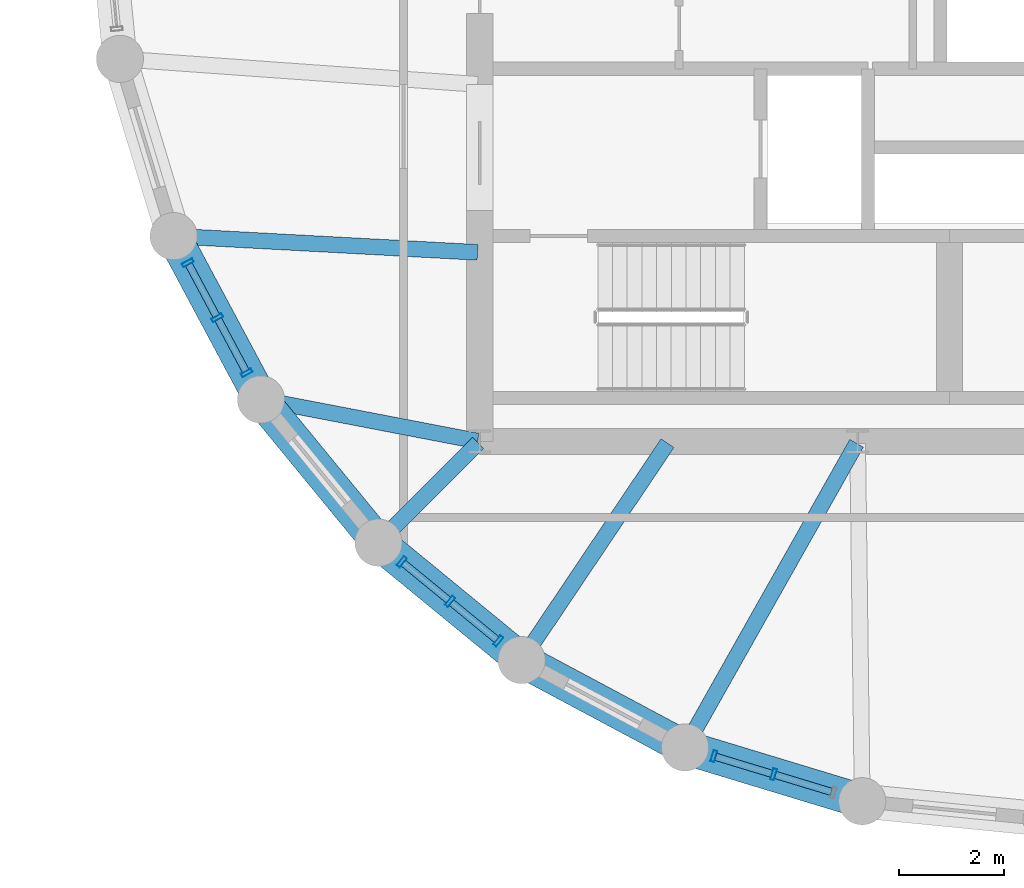
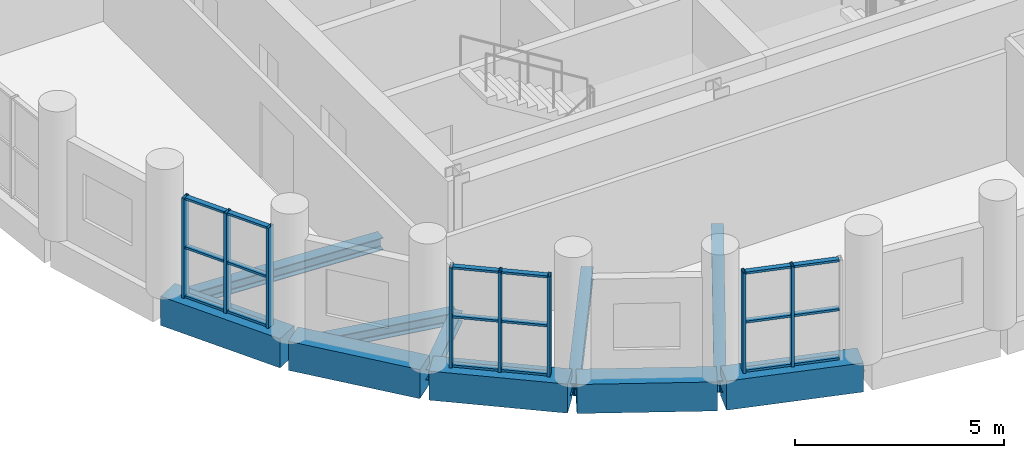
# One storey, part 2 of 12: 26 members, 10 beams, 3 elements without a shape of their own.
"""IFC4 building model written with IfcOpenShell, lengths in metres."""

from ifc_helpers import new_model, si_unit, direction, frame, origin, origin_2d, place, context, subcontext, project, spatial, rectangle, hollow_rectangle, i_section, extrude, material, layer, layer_set, material_profile, profile_set, type_object, element, aggregate, save


model = new_model("IFC4")

# Units and contexts
model_context = context("Model", 3, precision=1e-05, world=origin(), true_north=direction((0.0, 1.0)))
body_context = subcontext(model_context, "Body", "Model", "MODEL_VIEW")
ifc_project = project(units=[si_unit("LENGTHUNIT", "METRE"), si_unit("AREAUNIT", "SQUARE_METRE"), si_unit("VOLUMEUNIT", "CUBIC_METRE"), si_unit("PLANEANGLEUNIT", "RADIAN"), si_unit("MASSUNIT", "GRAM", prefix="KILO")], contexts=[model_context])

# Site, building, storey
site_placement = place(None, origin())
site = spatial("IfcSite", under=ifc_project, at=site_placement, CompositionType="ELEMENT")
building_placement = place(site_placement, origin())
building = spatial("IfcBuilding", under=site, at=building_placement, Name="Solnavia Interchange Tower", CompositionType="ELEMENT")
storey_placement = place(building_placement, frame((0.0, 0.0, 193.800048828125)))
storey = spatial("IfcBuildingStorey", under=building, at=storey_placement, Name="L48", CompositionType="ELEMENT", Elevation=193.800048828125)

# Beams
ifc_material_1 = material(Name="Steel S460", Category="steel")
ifc_material_profile_1 = material_profile(ifc_material_1, i_section(OverallWidth=0.300048828125, OverallDepth=0.360107421875, WebThickness=0.012451171875, FlangeThickness=0.0224609375, FilletRadius=0.027099609375, at=origin_2d()), Name="HEB 360")
ifc_profile_set_1 = profile_set([ifc_material_profile_1], Name="Steel S460")
beam_type_1 = type_object("IfcBeamType", Name="Beam-Girder-HEB360", PredefinedType="BEAM", material=ifc_profile_set_1)
beam_1_placement = place(storey_placement, frame((8.64990234375, 14.707763671875, -0.429931640625), z_axis=(0.998570371303, -0.053452909696, 0.0), x_axis=(0.053452909696, 0.998570371303, 0.0)))
element("IfcBeam", 1, at=beam_1_placement, inside=storey, type_object=beam_type_1, Name="GRD-L48-DR13 Drum radial floor girder", PredefinedType="BEAM", context=body_context, shape_type="SweptSolid", body=[
    extrude(i_section(OverallWidth=0.300048828125, OverallDepth=0.360107421875, WebThickness=0.012451171875, FlangeThickness=0.0224609375, FilletRadius=0.027099609375, at=origin_2d()), origin(), (0.0, 0.0, 1.0), 5.71826171875),
])
beam_2_placement = place(storey_placement, frame((15.24462890625, 6.700439453125, -0.429931640625), z_axis=(0.557835474219, 0.829951555033, 0.0), x_axis=(-0.829951555033, 0.557835474219, 0.0)))
element("IfcBeam", 2, at=beam_2_placement, inside=storey, type_object=beam_type_1, Name="GRD-L48-DR16 Drum radial floor girder", PredefinedType="BEAM", context=body_context, shape_type="SweptSolid", body=[
    extrude(i_section(OverallWidth=0.300048828125, OverallDepth=0.360107421875, WebThickness=0.012451171875, FlangeThickness=0.0224609375, FilletRadius=0.027099609375, at=origin_2d()), origin(), (0.0, 0.0, 1.0), 4.899658203125),
])
ifc_material_2 = material(Name="Steel S355", Category="steel")
ifc_material_profile_2 = material_profile(ifc_material_2, i_section(OverallWidth=0.300048828125, OverallDepth=0.31005859375, WebThickness=0.009033203125, FlangeThickness=0.015380859375, FilletRadius=0.027099609375, at=origin_2d()), Name="HEA 320")
ifc_profile_set_2 = profile_set([ifc_material_profile_2], Name="Steel S355")
beam_type_2 = type_object("IfcBeamType", Name="Beam-Primary-HEA320", PredefinedType="BEAM", material=ifc_profile_set_2)
beam_3_placement = place(storey_placement, frame((12.528564453125, 8.9287109375, -0.405029296875), z_axis=(0.707106781187, 0.707106781187, 0.0), x_axis=(-0.707106781187, 0.707106781187, 0.0)))
element("IfcBeam", 3, at=beam_3_placement, inside=storey, type_object=beam_type_2, Name="GRD-L48-DR15 Drum radial floor girder", PredefinedType="BEAM", context=body_context, shape_type="SweptSolid", body=[
    extrude(i_section(OverallWidth=0.300048828125, OverallDepth=0.31005859375, WebThickness=0.009033203125, FlangeThickness=0.015380859375, FilletRadius=0.027099609375, at=origin_2d()), origin(), (0.0, 0.0, 1.0), 2.6064453125),
])
ifc_material_profile_3 = material_profile(ifc_material_2, i_section(OverallWidth=0.300048828125, OverallDepth=0.35009765625, WebThickness=0.010009765625, FlangeThickness=0.017578125, FilletRadius=0.027099609375, at=origin_2d()), Name="HEA 360")
ifc_profile_set_3 = profile_set([ifc_material_profile_3], Name="Steel S355")
beam_type_3 = type_object("IfcBeamType", Name="Beam-Primary-HEA360", PredefinedType="BEAM", material=ifc_profile_set_3)
beam_4_placement = place(storey_placement, frame((10.3125, 11.5849609375, -0.425048828125), z_axis=(0.982057527796, -0.188581579428, 0.0), x_axis=(0.188581579428, 0.982057527796, 0.0)))
element("IfcBeam", 4, at=beam_4_placement, inside=storey, type_object=beam_type_3, Name="GRD-L48-DR14 Drum radial floor girder", PredefinedType="BEAM", context=body_context, shape_type="SweptSolid", body=[
    extrude(i_section(OverallWidth=0.300048828125, OverallDepth=0.35009765625, WebThickness=0.010009765625, FlangeThickness=0.017578125, FilletRadius=0.027099609375, at=origin_2d()), origin(), (0.0, 0.0, 1.0), 4.1220703125),
])
beam_5_placement = place(storey_placement, frame((18.351318359375, 5.039794921875, -0.425048828125), z_axis=(0.491243158486, 0.871022479182, 0.0), x_axis=(-0.871022479182, 0.491243158486, 0.0)))
element("IfcBeam", 5, at=beam_5_placement, inside=storey, type_object=beam_type_3, Name="GRD-L48-DR17 Drum radial floor girder", PredefinedType="BEAM", context=body_context, shape_type="SweptSolid", body=[
    extrude(i_section(OverallWidth=0.300048828125, OverallDepth=0.35009765625, WebThickness=0.010009765625, FlangeThickness=0.017578125, FilletRadius=0.027099609375, at=origin_2d()), origin(), (0.0, 0.0, 1.0), 6.5732421875),
])
ifc_material_3 = material(Name="Concrete C50/60", Category="concrete")
ifc_material_profile_4 = material_profile(ifc_material_3, rectangle(XDim=0.64990234375, YDim=0.85009765625, at=origin_2d()), Name="RC 650x850")
ifc_profile_set_4 = profile_set([ifc_material_profile_4], Name="Concrete C50/60")
beam_type_4 = type_object("IfcBeamType", Name="Beam-Spandrel-RC650x850", PredefinedType="SPANDREL", material=ifc_profile_set_4)
beam_6_placement = place(storey_placement, frame((8.607666015625, 14.6416015625, -0.425048828125), z_axis=(0.471509422952, -0.881861023102, 0.0), x_axis=(0.881861023102, 0.471509422952, 0.0)))
element("IfcBeam", 6, at=beam_6_placement, inside=storey, type_object=beam_type_4, Name="SPB-L48-03 Framed-tube perimeter spandrel beam", PredefinedType="SPANDREL", context=body_context, shape_type="SweptSolid", body=[
    extrude(rectangle(XDim=0.64990234375, YDim=0.85009765625, at=origin_2d()), origin(), (0.0, 0.0, 1.0), 3.369140625),
])
for number, where, z_axis, x_axis, name in (
    (7, (10.28466796875, 11.5380859375, -0.425048828125), (0.634298841675, -0.773087950656, 0.0), (0.773087950656, 0.634298841675, 0.0), "SPB-L48-04 Framed-tube perimeter spandrel beam"),
    (8, (12.53369140625, 8.8212890625, -0.425048828125), (0.773152644452, -0.634219984214, 0.0), (0.634219984214, 0.773152644452, 0.0), "SPB-L48-05 Framed-tube perimeter spandrel beam"),
):
    element("IfcBeam", number, at=place(storey_placement, frame(where, z_axis=z_axis, x_axis=x_axis)), inside=storey, type_object=beam_type_4, Name=name, PredefinedType="SPANDREL", context=body_context, shape_type="SweptSolid", body=[
        extrude(rectangle(XDim=0.64990234375, YDim=0.85009765625, at=origin_2d()), origin(), (0.0, 0.0, 1.0), 3.36865234375),
    ])
beam_7_placement = place(storey_placement, frame((15.2705078125, 6.59619140625, -0.425048828125), z_axis=(0.881875044348, -0.47148319817, 0.0), x_axis=(0.47148319817, 0.881875044348, 0.0)))
element("IfcBeam", 9, at=beam_7_placement, inside=storey, type_object=beam_type_4, Name="SPB-L48-06 Framed-tube perimeter spandrel beam", PredefinedType="SPANDREL", context=body_context, shape_type="SweptSolid", body=[
    extrude(rectangle(XDim=0.64990234375, YDim=0.85009765625, at=origin_2d()), origin(), (0.0, 0.0, 1.0), 3.368896484375),
])
beam_8_placement = place(storey_placement, frame((18.388671875, 4.94677734375, -0.425048828125), z_axis=(0.956943884494, -0.290272978297, 0.0), x_axis=(0.290272978297, 0.956943884494, 0.0)))
element("IfcBeam", 10, at=beam_8_placement, inside=storey, type_object=beam_type_4, Name="SPB-L48-07 Framed-tube perimeter spandrel beam", PredefinedType="SPANDREL", context=body_context, shape_type="SweptSolid", body=[
    extrude(rectangle(XDim=0.64990234375, YDim=0.85009765625, at=origin_2d()), origin(), (0.0, 0.0, 1.0), 3.36767578125),
])

# Curtain wall, members
ifc_material_4 = material(Name="Aluminium Alloy 6063-T6", Category="aluminium")
ifc_layer = layer(ifc_material_4, 0.239990234375)
ifc_layer_set = layer_set([ifc_layer], Name="Aluminium Alloy 6063-T6")
curtain_wall_type = type_object("IfcCurtainWallType", Name="CurtainWall-Drum-CTW2", PredefinedType="NOTDEFINED", material=ifc_layer_set)
curtain_wall_1_placement = place(storey_placement, origin())
curtain_wall_1 = element("IfcCurtainWall", 11, at=curtain_wall_1_placement, inside=storey, type_object=curtain_wall_type, Name="CTW-L48-D49 CTW-2 curtain wall", PredefinedType="NOTDEFINED")
ifc_material_profile_5 = material_profile(ifc_material_4, hollow_rectangle(XDim=0.074951171875, YDim=0.219970703125, WallThickness=0.0048828125, at=origin_2d()), Name="ALU 220x75x5")
ifc_profile_set_5 = profile_set([ifc_material_profile_5], Name="Aluminium Alloy 6063-T6")
member_type_1 = type_object("IfcMemberType", Name="CW-Mullion-CWM-2", PredefinedType="MULLION", material=ifc_profile_set_5)
member_1_placement = place(storey_placement, frame((8.841064453125, 14.204833984375, 0.0), z_axis=(0.0, 0.0, 1.0), x_axis=(0.471560876964, -0.881833509976, 0.0)))
member_1 = element("IfcMember", 12, at=member_1_placement, type_object=member_type_1, Name="CTW-2 mullion 1", PredefinedType="MULLION", context=body_context, shape_type="SweptSolid", body=[
    extrude(hollow_rectangle(XDim=0.074951171875, YDim=0.219970703125, WallThickness=0.0048828125, at=origin_2d()), origin(), (0.0, 0.0, 1.0), 2.929931640625),
])
member_2_placement = place(storey_placement, frame((9.402099609375, 13.156005859375, 0.0), z_axis=(0.0, 0.0, 1.0), x_axis=(0.471560876964, -0.881833509976, 0.0)))
member_2 = element("IfcMember", 13, at=member_2_placement, type_object=member_type_1, Name="CTW-2 mullion 2", PredefinedType="MULLION", context=body_context, shape_type="SweptSolid", body=[
    extrude(hollow_rectangle(XDim=0.074951171875, YDim=0.219970703125, WallThickness=0.0048828125, at=origin_2d()), origin(), (0.0, 0.0, 1.0), 2.929931640625),
])
member_3_placement = place(storey_placement, frame((9.962890625, 12.107177734375, 0.0), z_axis=(0.0, 0.0, 1.0), x_axis=(0.471560876964, -0.881833509976, 0.0)))
member_3 = element("IfcMember", 14, at=member_3_placement, type_object=member_type_1, Name="CTW-2 mullion 3", PredefinedType="MULLION", context=body_context, shape_type="SweptSolid", body=[
    extrude(hollow_rectangle(XDim=0.074951171875, YDim=0.219970703125, WallThickness=0.0048828125, at=origin_2d()), origin(), (0.0, 0.0, 1.0), 2.929931640625),
])

curtain_wall_2_placement = place(storey_placement, origin())
curtain_wall_2 = element("IfcCurtainWall", 15, at=curtain_wall_2_placement, inside=storey, type_object=curtain_wall_type, Name="CTW-L48-D51 CTW-2 curtain wall", PredefinedType="NOTDEFINED")
member_4_placement = place(storey_placement, frame((12.91650390625, 8.50732421875, 0.0), z_axis=(0.0, 0.0, 1.0), x_axis=(0.773103093557, -0.634280384951, 0.0)))
member_4 = element("IfcMember", 16, at=member_4_placement, type_object=member_type_1, Name="CTW-2 mullion 1", PredefinedType="MULLION", context=body_context, shape_type="SweptSolid", body=[
    extrude(hollow_rectangle(XDim=0.074951171875, YDim=0.219970703125, WallThickness=0.0048828125, at=origin_2d()), origin(), (0.0, 0.0, 1.0), 2.929931640625),
])
member_5_placement = place(storey_placement, frame((13.8359375, 7.7529296875, 0.0), z_axis=(0.0, 0.0, 1.0), x_axis=(0.773103093557, -0.634280384951, 0.0)))
member_5 = element("IfcMember", 17, at=member_5_placement, type_object=member_type_1, Name="CTW-2 mullion 2", PredefinedType="MULLION", context=body_context, shape_type="SweptSolid", body=[
    extrude(hollow_rectangle(XDim=0.074951171875, YDim=0.219970703125, WallThickness=0.0048828125, at=origin_2d()), origin(), (0.0, 0.0, 1.0), 2.929931640625),
])
member_6_placement = place(storey_placement, frame((14.75537109375, 6.998779296875, 0.0), z_axis=(0.0, 0.0, 1.0), x_axis=(0.773103093557, -0.634280384951, 0.0)))
member_6 = element("IfcMember", 18, at=member_6_placement, type_object=member_type_1, Name="CTW-2 mullion 3", PredefinedType="MULLION", context=body_context, shape_type="SweptSolid", body=[
    extrude(hollow_rectangle(XDim=0.074951171875, YDim=0.219970703125, WallThickness=0.0048828125, at=origin_2d()), origin(), (0.0, 0.0, 1.0), 2.929931640625),
])

curtain_wall_3_placement = place(storey_placement, origin())
curtain_wall_3 = element("IfcCurtainWall", 19, at=curtain_wall_3_placement, inside=storey, type_object=curtain_wall_type, Name="CTW-L48-D53 CTW-2 curtain wall", PredefinedType="NOTDEFINED")
member_7_placement = place(storey_placement, frame((18.8623046875, 4.80322265625, 0.0), z_axis=(0.0, 0.0, 1.0), x_axis=(0.956942072515, -0.290278951786, 0.0)))
member_7 = element("IfcMember", 20, at=member_7_placement, type_object=member_type_1, Name="CTW-2 mullion 1", PredefinedType="MULLION", context=body_context, shape_type="SweptSolid", body=[
    extrude(hollow_rectangle(XDim=0.074951171875, YDim=0.219970703125, WallThickness=0.0048828125, at=origin_2d()), origin(), (0.0, 0.0, 1.0), 2.929931640625),
])
member_8_placement = place(storey_placement, frame((20.0, 4.4580078125, 0.0), z_axis=(0.0, 0.0, 1.0), x_axis=(0.956942072515, -0.290278951786, 0.0)))
member_8 = element("IfcMember", 21, at=member_8_placement, type_object=member_type_1, Name="CTW-2 mullion 2", PredefinedType="MULLION", context=body_context, shape_type="SweptSolid", body=[
    extrude(hollow_rectangle(XDim=0.074951171875, YDim=0.219970703125, WallThickness=0.0048828125, at=origin_2d()), origin(), (0.0, 0.0, 1.0), 2.929931640625),
])

# Member
ifc_material_profile_6 = material_profile(ifc_material_4, hollow_rectangle(XDim=0.06494140625, YDim=0.139892578125, WallThickness=0.00390625, at=origin_2d()), Name="ALU 140x65x4")
ifc_profile_set_6 = profile_set([ifc_material_profile_6], Name="Aluminium Alloy 6063-T6")
member_type_2 = type_object("IfcMemberType", Name="CW-Transom-CWT-2", PredefinedType="USERDEFINED", material=ifc_profile_set_6)
member_9_placement = place(storey_placement, frame((8.85888671875, 14.171875, 0.032470703125), z_axis=(0.471406647105, -0.881915967122, 0.0), x_axis=(0.0, 0.0, 1.0)))
member_9 = element("IfcMember", 22, at=member_9_placement, type_object=member_type_2, Name="CTW-2 transom 1.1", ObjectType="TRANSOM", PredefinedType="USERDEFINED", context=body_context, shape_type="SweptSolid", body=[
    extrude(hollow_rectangle(XDim=0.06494140625, YDim=0.139892578125, WallThickness=0.00390625, at=origin_2d()), origin(), (0.0, 0.0, 1.0), 1.114501953125),
])

member_10_placement = place(storey_placement, frame((8.85888671875, 14.171875, 1.46484375), z_axis=(0.471406647105, -0.881915967122, 0.0), x_axis=(0.0, 0.0, 1.0)))
member_10 = element("IfcMember", 23, at=member_10_placement, type_object=member_type_2, Name="CTW-2 transom 1.2", ObjectType="TRANSOM", PredefinedType="USERDEFINED", context=body_context, shape_type="SweptSolid", body=[
    extrude(hollow_rectangle(XDim=0.06494140625, YDim=0.139892578125, WallThickness=0.00390625, at=origin_2d()), origin(), (0.0, 0.0, 1.0), 1.114501953125),
])

member_11_placement = place(storey_placement, frame((8.85888671875, 14.171875, 2.8974609375), z_axis=(0.471406647105, -0.881915967122, 0.0), x_axis=(0.0, 0.0, 1.0)))
member_11 = element("IfcMember", 24, at=member_11_placement, type_object=member_type_2, Name="CTW-2 transom 1.3", ObjectType="TRANSOM", PredefinedType="USERDEFINED", context=body_context, shape_type="SweptSolid", body=[
    extrude(hollow_rectangle(XDim=0.06494140625, YDim=0.139892578125, WallThickness=0.00390625, at=origin_2d()), origin(), (0.0, 0.0, 1.0), 1.114501953125),
])

member_12_placement = place(storey_placement, frame((9.419677734375, 13.123046875, 0.032470703125), z_axis=(0.471576996491, -0.881824889862, 0.0), x_axis=(0.0, 0.0, 1.0)))
member_12 = element("IfcMember", 25, at=member_12_placement, type_object=member_type_2, Name="CTW-2 transom 2.1", ObjectType="TRANSOM", PredefinedType="USERDEFINED", context=body_context, shape_type="SweptSolid", body=[
    extrude(hollow_rectangle(XDim=0.06494140625, YDim=0.139892578125, WallThickness=0.00390625, at=origin_2d()), origin(), (0.0, 0.0, 1.0), 1.11474609375),
])

member_13_placement = place(storey_placement, frame((9.419677734375, 13.123046875, 1.46484375), z_axis=(0.471576996491, -0.881824889862, 0.0), x_axis=(0.0, 0.0, 1.0)))
member_13 = element("IfcMember", 26, at=member_13_placement, type_object=member_type_2, Name="CTW-2 transom 2.2", ObjectType="TRANSOM", PredefinedType="USERDEFINED", context=body_context, shape_type="SweptSolid", body=[
    extrude(hollow_rectangle(XDim=0.06494140625, YDim=0.139892578125, WallThickness=0.00390625, at=origin_2d()), origin(), (0.0, 0.0, 1.0), 1.11474609375),
])

member_14_placement = place(storey_placement, frame((9.419677734375, 13.123046875, 2.8974609375), z_axis=(0.471576996491, -0.881824889862, 0.0), x_axis=(0.0, 0.0, 1.0)))
member_14 = element("IfcMember", 27, at=member_14_placement, type_object=member_type_2, Name="CTW-2 transom 2.3", ObjectType="TRANSOM", PredefinedType="USERDEFINED", context=body_context, shape_type="SweptSolid", body=[
    extrude(hollow_rectangle(XDim=0.06494140625, YDim=0.139892578125, WallThickness=0.00390625, at=origin_2d()), origin(), (0.0, 0.0, 1.0), 1.11474609375),
])

aggregate(curtain_wall_1, [member_1, member_2, member_3, member_9, member_10, member_11, member_12, member_13, member_14])

member_15_placement = place(storey_placement, frame((12.945556640625, 8.483642578125, 0.032470703125), z_axis=(0.773136723636, -0.634239392158, 0.0), x_axis=(0.0, 0.0, 1.0)))
member_15 = element("IfcMember", 28, at=member_15_placement, type_object=member_type_2, Name="CTW-2 transom 1.1", ObjectType="TRANSOM", PredefinedType="USERDEFINED", context=body_context, shape_type="SweptSolid", body=[
    extrude(hollow_rectangle(XDim=0.06494140625, YDim=0.139892578125, WallThickness=0.00390625, at=origin_2d()), origin(), (0.0, 0.0, 1.0), 1.114501953125),
])

member_16_placement = place(storey_placement, frame((12.945556640625, 8.483642578125, 1.46484375), z_axis=(0.773136723636, -0.634239392158, 0.0), x_axis=(0.0, 0.0, 1.0)))
member_16 = element("IfcMember", 29, at=member_16_placement, type_object=member_type_2, Name="CTW-2 transom 1.2", ObjectType="TRANSOM", PredefinedType="USERDEFINED", context=body_context, shape_type="SweptSolid", body=[
    extrude(hollow_rectangle(XDim=0.06494140625, YDim=0.139892578125, WallThickness=0.00390625, at=origin_2d()), origin(), (0.0, 0.0, 1.0), 1.114501953125),
])

member_17_placement = place(storey_placement, frame((12.945556640625, 8.483642578125, 2.8974609375), z_axis=(0.773136723636, -0.634239392158, 0.0), x_axis=(0.0, 0.0, 1.0)))
member_17 = element("IfcMember", 30, at=member_17_placement, type_object=member_type_2, Name="CTW-2 transom 1.3", ObjectType="TRANSOM", PredefinedType="USERDEFINED", context=body_context, shape_type="SweptSolid", body=[
    extrude(hollow_rectangle(XDim=0.06494140625, YDim=0.139892578125, WallThickness=0.00390625, at=origin_2d()), origin(), (0.0, 0.0, 1.0), 1.114501953125),
])

member_18_placement = place(storey_placement, frame((13.864990234375, 7.729248046875, 0.032470703125), z_axis=(0.773048573819, -0.634346831407, 0.0), x_axis=(0.0, 0.0, 1.0)))
member_18 = element("IfcMember", 31, at=member_18_placement, type_object=member_type_2, Name="CTW-2 transom 2.1", ObjectType="TRANSOM", PredefinedType="USERDEFINED", context=body_context, shape_type="SweptSolid", body=[
    extrude(hollow_rectangle(XDim=0.06494140625, YDim=0.139892578125, WallThickness=0.00390625, at=origin_2d()), origin(), (0.0, 0.0, 1.0), 1.1142578125),
])

member_19_placement = place(storey_placement, frame((13.864990234375, 7.729248046875, 1.46484375), z_axis=(0.773048573819, -0.634346831407, 0.0), x_axis=(0.0, 0.0, 1.0)))
member_19 = element("IfcMember", 32, at=member_19_placement, type_object=member_type_2, Name="CTW-2 transom 2.2", ObjectType="TRANSOM", PredefinedType="USERDEFINED", context=body_context, shape_type="SweptSolid", body=[
    extrude(hollow_rectangle(XDim=0.06494140625, YDim=0.139892578125, WallThickness=0.00390625, at=origin_2d()), origin(), (0.0, 0.0, 1.0), 1.1142578125),
])

member_20_placement = place(storey_placement, frame((13.864990234375, 7.729248046875, 2.8974609375), z_axis=(0.773048573819, -0.634346831407, 0.0), x_axis=(0.0, 0.0, 1.0)))
member_20 = element("IfcMember", 33, at=member_20_placement, type_object=member_type_2, Name="CTW-2 transom 2.3", ObjectType="TRANSOM", PredefinedType="USERDEFINED", context=body_context, shape_type="SweptSolid", body=[
    extrude(hollow_rectangle(XDim=0.06494140625, YDim=0.139892578125, WallThickness=0.00390625, at=origin_2d()), origin(), (0.0, 0.0, 1.0), 1.1142578125),
])

aggregate(curtain_wall_2, [member_4, member_5, member_6, member_15, member_16, member_17, member_18, member_19, member_20])

member_21_placement = place(storey_placement, frame((18.898193359375, 4.792236328125, 0.032470703125), z_axis=(0.956965394332, -0.290202057283, 0.0), x_axis=(0.0, 0.0, 1.0)))
member_21 = element("IfcMember", 34, at=member_21_placement, type_object=member_type_2, Name="CTW-2 transom 1.1", ObjectType="TRANSOM", PredefinedType="USERDEFINED", context=body_context, shape_type="SweptSolid", body=[
    extrude(hollow_rectangle(XDim=0.06494140625, YDim=0.139892578125, WallThickness=0.00390625, at=origin_2d()), origin(), (0.0, 0.0, 1.0), 1.11376953125),
])

member_22_placement = place(storey_placement, frame((18.898193359375, 4.792236328125, 1.46484375), z_axis=(0.956965394332, -0.290202057283, 0.0), x_axis=(0.0, 0.0, 1.0)))
member_22 = element("IfcMember", 35, at=member_22_placement, type_object=member_type_2, Name="CTW-2 transom 1.2", ObjectType="TRANSOM", PredefinedType="USERDEFINED", context=body_context, shape_type="SweptSolid", body=[
    extrude(hollow_rectangle(XDim=0.06494140625, YDim=0.139892578125, WallThickness=0.00390625, at=origin_2d()), origin(), (0.0, 0.0, 1.0), 1.11376953125),
])

member_23_placement = place(storey_placement, frame((18.898193359375, 4.792236328125, 2.8974609375), z_axis=(0.956965394332, -0.290202057283, 0.0), x_axis=(0.0, 0.0, 1.0)))
member_23 = element("IfcMember", 36, at=member_23_placement, type_object=member_type_2, Name="CTW-2 transom 1.3", ObjectType="TRANSOM", PredefinedType="USERDEFINED", context=body_context, shape_type="SweptSolid", body=[
    extrude(hollow_rectangle(XDim=0.06494140625, YDim=0.139892578125, WallThickness=0.00390625, at=origin_2d()), origin(), (0.0, 0.0, 1.0), 1.11376953125),
])

member_24_placement = place(storey_placement, frame((20.035888671875, 4.447021484375, 0.032470703125), z_axis=(0.956965394332, -0.290202057283, 0.0), x_axis=(0.0, 0.0, 1.0)))
member_24 = element("IfcMember", 37, at=member_24_placement, type_object=member_type_2, Name="CTW-2 transom 2.1", ObjectType="TRANSOM", PredefinedType="USERDEFINED", context=body_context, shape_type="SweptSolid", body=[
    extrude(hollow_rectangle(XDim=0.06494140625, YDim=0.139892578125, WallThickness=0.00390625, at=origin_2d()), origin(), (0.0, 0.0, 1.0), 1.11376953125),
])

member_25_placement = place(storey_placement, frame((20.035888671875, 4.447021484375, 1.46484375), z_axis=(0.956965394332, -0.290202057283, 0.0), x_axis=(0.0, 0.0, 1.0)))
member_25 = element("IfcMember", 38, at=member_25_placement, type_object=member_type_2, Name="CTW-2 transom 2.2", ObjectType="TRANSOM", PredefinedType="USERDEFINED", context=body_context, shape_type="SweptSolid", body=[
    extrude(hollow_rectangle(XDim=0.06494140625, YDim=0.139892578125, WallThickness=0.00390625, at=origin_2d()), origin(), (0.0, 0.0, 1.0), 1.11376953125),
])

member_26_placement = place(storey_placement, frame((20.035888671875, 4.447021484375, 2.8974609375), z_axis=(0.956965394332, -0.290202057283, 0.0), x_axis=(0.0, 0.0, 1.0)))
member_26 = element("IfcMember", 39, at=member_26_placement, type_object=member_type_2, Name="CTW-2 transom 2.3", ObjectType="TRANSOM", PredefinedType="USERDEFINED", context=body_context, shape_type="SweptSolid", body=[
    extrude(hollow_rectangle(XDim=0.06494140625, YDim=0.139892578125, WallThickness=0.00390625, at=origin_2d()), origin(), (0.0, 0.0, 1.0), 1.11376953125),
])

aggregate(curtain_wall_3, [member_7, member_8, member_21, member_22, member_23, member_24, member_25, member_26])

save(model, "model.ifc")
